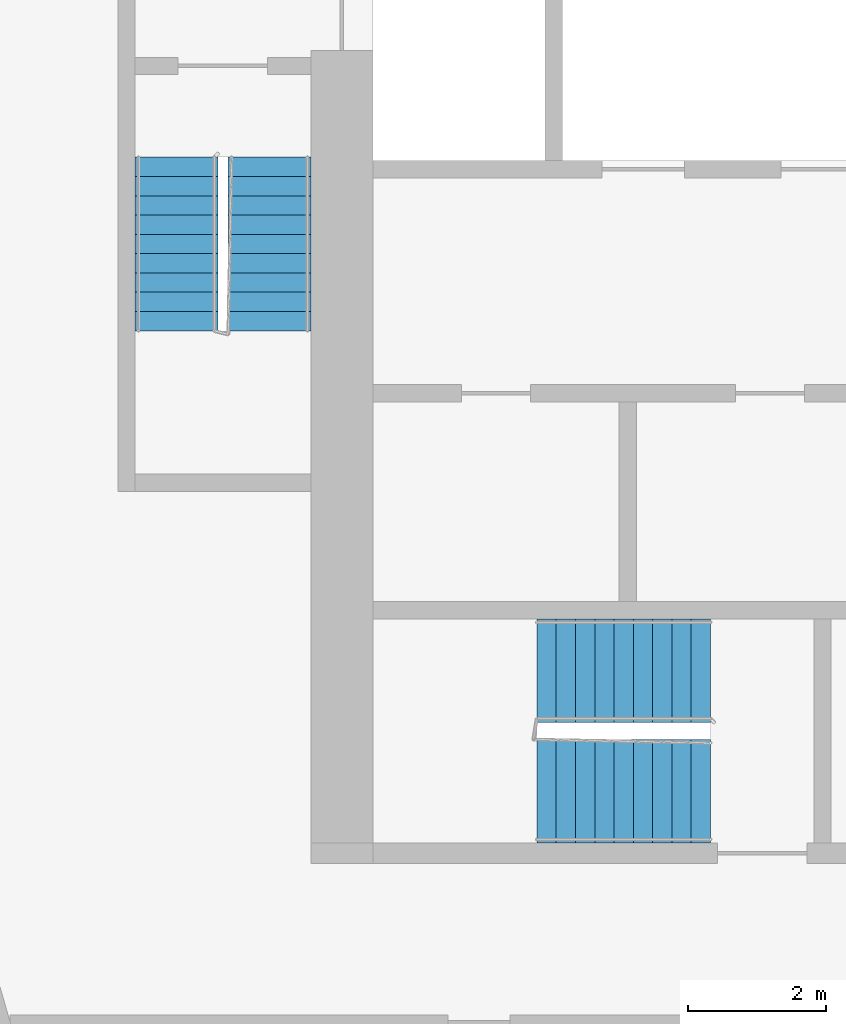
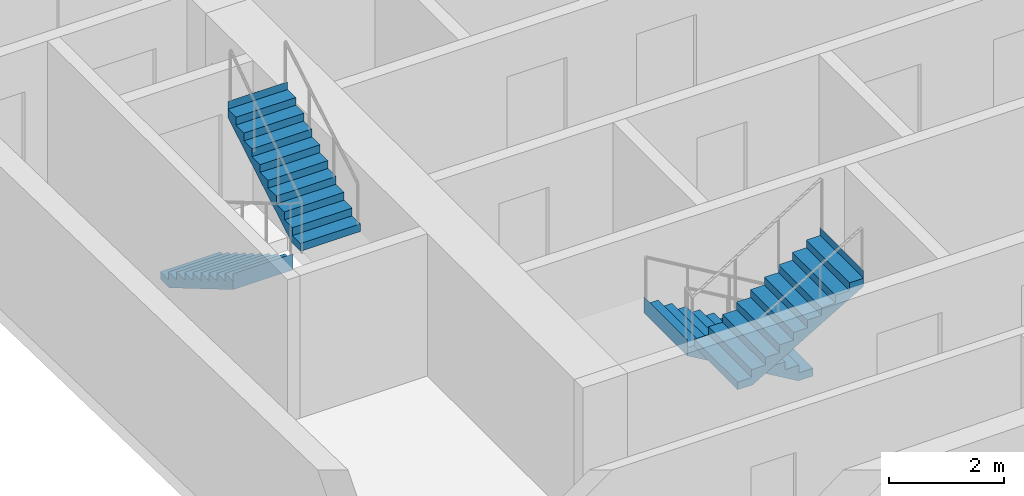
# One storey, part 9 of 12: 4 stair flights, 2 elements without a shape of their own.
"""IFC4 building model written with IfcOpenShell, lengths in metres."""

from ifc_helpers import new_model, si_unit, direction, frame, origin, place, context, subcontext, project, spatial, faceted_brep, material, type_object, element, aggregate, save


model = new_model("IFC4")

# Units and contexts
model_context = context("Model", 3, precision=1e-05, world=origin(), true_north=direction((0.0, 1.0)))
body_context = subcontext(model_context, "Body", "Model", "MODEL_VIEW")
ifc_project = project(units=[si_unit("LENGTHUNIT", "METRE"), si_unit("AREAUNIT", "SQUARE_METRE"), si_unit("VOLUMEUNIT", "CUBIC_METRE"), si_unit("PLANEANGLEUNIT", "RADIAN"), si_unit("MASSUNIT", "GRAM", prefix="KILO")], contexts=[model_context])

# Site, building, storey
site_placement = place(None, origin())
site = spatial("IfcSite", under=ifc_project, at=site_placement, CompositionType="ELEMENT")
building_placement = place(site_placement, origin())
building = spatial("IfcBuilding", under=site, at=building_placement, Name="Kajstack Hotel Tower", CompositionType="ELEMENT")
storey_placement = place(building_placement, frame((0.0, 0.0, 234.199951171875)))
storey = spatial("IfcBuildingStorey", under=building, at=storey_placement, Name="L57", CompositionType="ELEMENT", Elevation=234.199951171875)

# Stair, stair flights
ifc_material = material(Name="Concrete C40/50", Category="concrete")
stair_type_1 = type_object("IfcStairType", Name="Exit stair 1200", PredefinedType="HALF_TURN_STAIR", material=ifc_material)
stair_1_placement = place(storey_placement, origin())
stair_1 = element("IfcStair", 1, at=stair_1_placement, inside=storey, type_object=stair_type_1, Name="L57 stair W1", PredefinedType="HALF_TURN_STAIR")
stair_flight_type_1 = type_object("IfcStairFlightType", Name="Exit stair flight 1200", PredefinedType="STRAIGHT", material=ifc_material)
stair_flight_1_placement = place(storey_placement, frame((-33.449951171875, -5.25, 0.0), z_axis=(0.0, 0.0, 1.0), x_axis=(0.0, -1.0, 0.0)))
stair_flight_1 = element("IfcStairFlight", 2, at=stair_flight_1_placement, type_object=stair_flight_type_1, Name="W1 flight 1", NumberOfRisers=10, NumberOfTreads=9, PredefinedType="STRAIGHT", RiserHeight=0.165, TreadLength=0.28, context=body_context, shape_type="Brep", body=[
    faceted_brep([(0.295654296875, -0.60009765625, 0.0), (2.5205078125, -0.60009765625, 1.31103515625), (2.5205078125, -0.60009765625, 1.64990234375), (2.52001953125, -0.60009765625, 1.64990234375), (2.52001953125, -0.60009765625, 1.485107421875), (2.239990234375, -0.60009765625, 1.485107421875), (2.239990234375, -0.60009765625, 1.320068359375), (1.9599609375, -0.60009765625, 1.320068359375), (1.9599609375, -0.60009765625, 1.155029296875), (1.679931640625, -0.60009765625, 1.155029296875), (1.679931640625, -0.60009765625, 0.989990234375), (1.39990234375, -0.60009765625, 0.989990234375), (1.39990234375, -0.60009765625, 0.824951171875), (1.1201171875, -0.60009765625, 0.824951171875), (1.1201171875, -0.60009765625, 0.659912109375), (0.840087890625, -0.60009765625, 0.659912109375), (0.840087890625, -0.60009765625, 0.4951171875), (0.56005859375, -0.60009765625, 0.4951171875), (0.56005859375, -0.60009765625, 0.330078125), (0.280029296875, -0.60009765625, 0.330078125), (0.280029296875, -0.60009765625, 0.1650390625), (-0.00048828125, -0.60009765625, 0.1650390625), (-0.00048828125, -0.60009765625, 0.0), (-0.00048828125, 0.60009765625, 0.0), (-0.00048828125, 0.60009765625, 0.1650390625), (0.280029296875, 0.60009765625, 0.1650390625), (0.280029296875, 0.60009765625, 0.330078125), (0.56005859375, 0.60009765625, 0.330078125), (0.56005859375, 0.60009765625, 0.4951171875), (0.840087890625, 0.60009765625, 0.4951171875), (0.840087890625, 0.60009765625, 0.659912109375), (1.1201171875, 0.60009765625, 0.659912109375), (1.1201171875, 0.60009765625, 0.824951171875), (1.39990234375, 0.60009765625, 0.824951171875), (1.39990234375, 0.60009765625, 0.989990234375), (1.679931640625, 0.60009765625, 0.989990234375), (1.679931640625, 0.60009765625, 1.155029296875), (1.9599609375, 0.60009765625, 1.155029296875), (1.9599609375, 0.60009765625, 1.320068359375), (2.239990234375, 0.60009765625, 1.320068359375), (2.239990234375, 0.60009765625, 1.485107421875), (2.52001953125, 0.60009765625, 1.485107421875), (2.52001953125, 0.60009765625, 1.64990234375), (2.5205078125, 0.60009765625, 1.64990234375), (2.5205078125, 0.60009765625, 1.31103515625), (0.295654296875, 0.60009765625, 0.0), (-0.00048828125, -0.300048828125, 0.1650390625), (-0.00048828125, 0.0, 0.1650390625), (-0.00048828125, 0.300048828125, 0.1650390625), (-0.00048828125, 0.300048828125, 0.0), (-0.00048828125, 0.0, 0.0), (-0.00048828125, -0.300048828125, 0.0), (0.280029296875, -0.300048828125, 0.1650390625), (0.280029296875, 0.0, 0.1650390625), (0.280029296875, 0.300048828125, 0.1650390625), (0.280029296875, -0.300048828125, 0.330078125), (0.280029296875, 0.0, 0.330078125), (0.280029296875, 0.300048828125, 0.330078125), (0.56005859375, -0.300048828125, 0.330078125), (0.56005859375, 0.0, 0.330078125), (0.56005859375, 0.300048828125, 0.330078125), (0.56005859375, -0.300048828125, 0.4951171875), (0.56005859375, 0.0, 0.4951171875), (0.56005859375, 0.300048828125, 0.4951171875), (0.840087890625, -0.300048828125, 0.4951171875), (0.840087890625, 0.0, 0.4951171875), (0.840087890625, 0.300048828125, 0.4951171875), (0.840087890625, -0.300048828125, 0.659912109375), (0.840087890625, 0.0, 0.659912109375), (0.840087890625, 0.300048828125, 0.659912109375), (1.1201171875, -0.300048828125, 0.659912109375), (1.1201171875, 0.0, 0.659912109375), (1.1201171875, 0.300048828125, 0.659912109375), (1.1201171875, -0.300048828125, 0.824951171875), (1.1201171875, 0.0, 0.824951171875), (1.1201171875, 0.300048828125, 0.824951171875), (1.39990234375, -0.300048828125, 0.824951171875), (1.39990234375, 0.0, 0.824951171875), (1.39990234375, 0.300048828125, 0.824951171875), (1.39990234375, -0.300048828125, 0.989990234375), (1.39990234375, 0.0, 0.989990234375), (1.39990234375, 0.300048828125, 0.989990234375), (1.679931640625, -0.300048828125, 0.989990234375), (1.679931640625, 0.0, 0.989990234375), (1.679931640625, 0.300048828125, 0.989990234375), (1.679931640625, -0.300048828125, 1.155029296875), (1.679931640625, 0.0, 1.155029296875), (1.679931640625, 0.300048828125, 1.155029296875), (1.9599609375, -0.300048828125, 1.155029296875), (1.9599609375, 0.0, 1.155029296875), (1.9599609375, 0.300048828125, 1.155029296875), (1.9599609375, -0.300048828125, 1.320068359375), (1.9599609375, 0.0, 1.320068359375), (1.9599609375, 0.300048828125, 1.320068359375), (2.239990234375, -0.300048828125, 1.320068359375), (2.239990234375, 0.0, 1.320068359375), (2.239990234375, 0.300048828125, 1.320068359375), (2.239990234375, -0.300048828125, 1.485107421875), (2.239990234375, 0.0, 1.485107421875), (2.239990234375, 0.300048828125, 1.485107421875), (2.52001953125, -0.300048828125, 1.485107421875), (2.52001953125, 0.0, 1.485107421875), (2.52001953125, 0.300048828125, 1.485107421875), (2.52001953125, -0.300048828125, 1.64990234375), (2.52001953125, 0.0, 1.64990234375), (2.52001953125, 0.300048828125, 1.64990234375), (2.5205078125, -0.300048828125, 1.64990234375), (2.5205078125, 0.0, 1.64990234375), (2.5205078125, 0.300048828125, 1.64990234375), (2.5205078125, -0.300048828125, 1.31103515625), (2.5205078125, 0.0, 1.31103515625), (2.5205078125, 0.300048828125, 1.31103515625), (0.295654296875, -0.300048828125, 0.0), (0.295654296875, 0.0, 0.0), (0.295654296875, 0.300048828125, 0.0)], [[[0, 1, 2, 3, 4, 5, 6, 7, 8, 9, 10, 11, 12, 13, 14, 15, 16, 17, 18, 19, 20, 21, 22]], [[23, 24, 25, 26, 27, 28, 29, 30, 31, 32, 33, 34, 35, 36, 37, 38, 39, 40, 41, 42, 43, 44, 45]], [[21, 46, 47, 48, 24, 23, 49, 50, 51, 22]], [[20, 52, 53, 54, 25, 24, 48, 47, 46, 21]], [[19, 55, 56, 57, 26, 25, 54, 53, 52, 20]], [[18, 58, 59, 60, 27, 26, 57, 56, 55, 19]], [[17, 61, 62, 63, 28, 27, 60, 59, 58, 18]], [[16, 64, 65, 66, 29, 28, 63, 62, 61, 17]], [[15, 67, 68, 69, 30, 29, 66, 65, 64, 16]], [[14, 70, 71, 72, 31, 30, 69, 68, 67, 15]], [[13, 73, 74, 75, 32, 31, 72, 71, 70, 14]], [[12, 76, 77, 78, 33, 32, 75, 74, 73, 13]], [[11, 79, 80, 81, 34, 33, 78, 77, 76, 12]], [[10, 82, 83, 84, 35, 34, 81, 80, 79, 11]], [[9, 85, 86, 87, 36, 35, 84, 83, 82, 10]], [[8, 88, 89, 90, 37, 36, 87, 86, 85, 9]], [[7, 91, 92, 93, 38, 37, 90, 89, 88, 8]], [[6, 94, 95, 96, 39, 38, 93, 92, 91, 7]], [[5, 97, 98, 99, 40, 39, 96, 95, 94, 6]], [[4, 100, 101, 102, 41, 40, 99, 98, 97, 5]], [[3, 103, 104, 105, 42, 41, 102, 101, 100, 4]], [[2, 106, 107, 108, 43, 42, 105, 104, 103, 3]], [[1, 109, 110, 111, 44, 43, 108, 107, 106, 2]], [[0, 112, 113, 114, 45, 44, 111, 110, 109, 1]], [[22, 51, 50, 49, 23, 45, 114, 113, 112, 0]]]),
])
stair_flight_2_placement = place(storey_placement, frame((-32.10009765625, -7.77001953125, 1.650146484375), z_axis=(0.0, 0.0, 1.0), x_axis=(0.0, 1.0, 0.0)))
stair_flight_2 = element("IfcStairFlight", 3, at=stair_flight_2_placement, type_object=stair_flight_type_1, Name="W1 flight 2", NumberOfRisers=10, NumberOfTreads=9, PredefinedType="STRAIGHT", RiserHeight=0.165, TreadLength=0.28, context=body_context, shape_type="Brep", body=[
    faceted_brep([(0.295654296875, -0.60009765625, 0.0), (2.5205078125, -0.60009765625, 1.31103515625), (2.5205078125, -0.60009765625, 1.64990234375), (2.52001953125, -0.60009765625, 1.64990234375), (2.52001953125, -0.60009765625, 1.485107421875), (2.239990234375, -0.60009765625, 1.485107421875), (2.239990234375, -0.60009765625, 1.320068359375), (1.9599609375, -0.60009765625, 1.320068359375), (1.9599609375, -0.60009765625, 1.155029296875), (1.679931640625, -0.60009765625, 1.155029296875), (1.679931640625, -0.60009765625, 0.989990234375), (1.39990234375, -0.60009765625, 0.989990234375), (1.39990234375, -0.60009765625, 0.824951171875), (1.1201171875, -0.60009765625, 0.824951171875), (1.1201171875, -0.60009765625, 0.659912109375), (0.840087890625, -0.60009765625, 0.659912109375), (0.840087890625, -0.60009765625, 0.4951171875), (0.56005859375, -0.60009765625, 0.4951171875), (0.56005859375, -0.60009765625, 0.330078125), (0.280029296875, -0.60009765625, 0.330078125), (0.280029296875, -0.60009765625, 0.1650390625), (-0.00048828125, -0.60009765625, 0.1650390625), (-0.00048828125, -0.60009765625, 0.0), (-0.00048828125, 0.60009765625, 0.0), (-0.00048828125, 0.60009765625, 0.1650390625), (0.280029296875, 0.60009765625, 0.1650390625), (0.280029296875, 0.60009765625, 0.330078125), (0.56005859375, 0.60009765625, 0.330078125), (0.56005859375, 0.60009765625, 0.4951171875), (0.840087890625, 0.60009765625, 0.4951171875), (0.840087890625, 0.60009765625, 0.659912109375), (1.1201171875, 0.60009765625, 0.659912109375), (1.1201171875, 0.60009765625, 0.824951171875), (1.39990234375, 0.60009765625, 0.824951171875), (1.39990234375, 0.60009765625, 0.989990234375), (1.679931640625, 0.60009765625, 0.989990234375), (1.679931640625, 0.60009765625, 1.155029296875), (1.9599609375, 0.60009765625, 1.155029296875), (1.9599609375, 0.60009765625, 1.320068359375), (2.239990234375, 0.60009765625, 1.320068359375), (2.239990234375, 0.60009765625, 1.485107421875), (2.52001953125, 0.60009765625, 1.485107421875), (2.52001953125, 0.60009765625, 1.64990234375), (2.5205078125, 0.60009765625, 1.64990234375), (2.5205078125, 0.60009765625, 1.31103515625), (0.295654296875, 0.60009765625, 0.0), (-0.00048828125, -0.300048828125, 0.1650390625), (-0.00048828125, 0.0, 0.1650390625), (-0.00048828125, 0.300048828125, 0.1650390625), (-0.00048828125, 0.300048828125, 0.0), (-0.00048828125, 0.0, 0.0), (-0.00048828125, -0.300048828125, 0.0), (0.280029296875, -0.300048828125, 0.1650390625), (0.280029296875, 0.0, 0.1650390625), (0.280029296875, 0.300048828125, 0.1650390625), (0.280029296875, -0.300048828125, 0.330078125), (0.280029296875, 0.0, 0.330078125), (0.280029296875, 0.300048828125, 0.330078125), (0.56005859375, -0.300048828125, 0.330078125), (0.56005859375, 0.0, 0.330078125), (0.56005859375, 0.300048828125, 0.330078125), (0.56005859375, -0.300048828125, 0.4951171875), (0.56005859375, 0.0, 0.4951171875), (0.56005859375, 0.300048828125, 0.4951171875), (0.840087890625, -0.300048828125, 0.4951171875), (0.840087890625, 0.0, 0.4951171875), (0.840087890625, 0.300048828125, 0.4951171875), (0.840087890625, -0.300048828125, 0.659912109375), (0.840087890625, 0.0, 0.659912109375), (0.840087890625, 0.300048828125, 0.659912109375), (1.1201171875, -0.300048828125, 0.659912109375), (1.1201171875, 0.0, 0.659912109375), (1.1201171875, 0.300048828125, 0.659912109375), (1.1201171875, -0.300048828125, 0.824951171875), (1.1201171875, 0.0, 0.824951171875), (1.1201171875, 0.300048828125, 0.824951171875), (1.39990234375, -0.300048828125, 0.824951171875), (1.39990234375, 0.0, 0.824951171875), (1.39990234375, 0.300048828125, 0.824951171875), (1.39990234375, -0.300048828125, 0.989990234375), (1.39990234375, 0.0, 0.989990234375), (1.39990234375, 0.300048828125, 0.989990234375), (1.679931640625, -0.300048828125, 0.989990234375), (1.679931640625, 0.0, 0.989990234375), (1.679931640625, 0.300048828125, 0.989990234375), (1.679931640625, -0.300048828125, 1.155029296875), (1.679931640625, 0.0, 1.155029296875), (1.679931640625, 0.300048828125, 1.155029296875), (1.9599609375, -0.300048828125, 1.155029296875), (1.9599609375, 0.0, 1.155029296875), (1.9599609375, 0.300048828125, 1.155029296875), (1.9599609375, -0.300048828125, 1.320068359375), (1.9599609375, 0.0, 1.320068359375), (1.9599609375, 0.300048828125, 1.320068359375), (2.239990234375, -0.300048828125, 1.320068359375), (2.239990234375, 0.0, 1.320068359375), (2.239990234375, 0.300048828125, 1.320068359375), (2.239990234375, -0.300048828125, 1.485107421875), (2.239990234375, 0.0, 1.485107421875), (2.239990234375, 0.300048828125, 1.485107421875), (2.52001953125, -0.300048828125, 1.485107421875), (2.52001953125, 0.0, 1.485107421875), (2.52001953125, 0.300048828125, 1.485107421875), (2.52001953125, -0.300048828125, 1.64990234375), (2.52001953125, 0.0, 1.64990234375), (2.52001953125, 0.300048828125, 1.64990234375), (2.5205078125, -0.300048828125, 1.64990234375), (2.5205078125, 0.0, 1.64990234375), (2.5205078125, 0.300048828125, 1.64990234375), (2.5205078125, -0.300048828125, 1.31103515625), (2.5205078125, 0.0, 1.31103515625), (2.5205078125, 0.300048828125, 1.31103515625), (0.295654296875, -0.300048828125, 0.0), (0.295654296875, 0.0, 0.0), (0.295654296875, 0.300048828125, 0.0)], [[[0, 1, 2, 3, 4, 5, 6, 7, 8, 9, 10, 11, 12, 13, 14, 15, 16, 17, 18, 19, 20, 21, 22]], [[23, 24, 25, 26, 27, 28, 29, 30, 31, 32, 33, 34, 35, 36, 37, 38, 39, 40, 41, 42, 43, 44, 45]], [[21, 46, 47, 48, 24, 23, 49, 50, 51, 22]], [[20, 52, 53, 54, 25, 24, 48, 47, 46, 21]], [[19, 55, 56, 57, 26, 25, 54, 53, 52, 20]], [[18, 58, 59, 60, 27, 26, 57, 56, 55, 19]], [[17, 61, 62, 63, 28, 27, 60, 59, 58, 18]], [[16, 64, 65, 66, 29, 28, 63, 62, 61, 17]], [[15, 67, 68, 69, 30, 29, 66, 65, 64, 16]], [[14, 70, 71, 72, 31, 30, 69, 68, 67, 15]], [[13, 73, 74, 75, 32, 31, 72, 71, 70, 14]], [[12, 76, 77, 78, 33, 32, 75, 74, 73, 13]], [[11, 79, 80, 81, 34, 33, 78, 77, 76, 12]], [[10, 82, 83, 84, 35, 34, 81, 80, 79, 11]], [[9, 85, 86, 87, 36, 35, 84, 83, 82, 10]], [[8, 88, 89, 90, 37, 36, 87, 86, 85, 9]], [[7, 91, 92, 93, 38, 37, 90, 89, 88, 8]], [[6, 94, 95, 96, 39, 38, 93, 92, 91, 7]], [[5, 97, 98, 99, 40, 39, 96, 95, 94, 6]], [[4, 100, 101, 102, 41, 40, 99, 98, 97, 5]], [[3, 103, 104, 105, 42, 41, 102, 101, 100, 4]], [[2, 106, 107, 108, 43, 42, 105, 104, 103, 3]], [[1, 109, 110, 111, 44, 43, 108, 107, 106, 2]], [[0, 112, 113, 114, 45, 44, 111, 110, 109, 1]], [[22, 51, 50, 49, 23, 45, 114, 113, 112, 0]]]),
])
aggregate(stair_1, [stair_flight_1, stair_flight_2])

stair_type_2 = type_object("IfcStairType", Name="Exit stair 1500", PredefinedType="HALF_TURN_STAIR", material=ifc_material)
stair_2_placement = place(storey_placement, origin())
stair_2 = element("IfcStair", 4, at=stair_2_placement, inside=storey, type_object=stair_type_2, Name="L57 stair W3", PredefinedType="HALF_TURN_STAIR")
stair_flight_type_2 = type_object("IfcStairFlightType", Name="Exit stair flight 1500", PredefinedType="STRAIGHT", material=ifc_material)
stair_flight_3_placement = place(storey_placement, frame((-25.699951171875, -12.699951171875, 0.0), z_axis=(0.0, 0.0, 1.0), x_axis=(-1.0, 0.0, 0.0)))
stair_flight_3 = element("IfcStairFlight", 5, at=stair_flight_3_placement, type_object=stair_flight_type_2, Name="W3 flight 1", NumberOfRisers=10, NumberOfTreads=9, PredefinedType="STRAIGHT", RiserHeight=0.165, TreadLength=0.28, context=body_context, shape_type="Brep", body=[
    faceted_brep([(0.295654296875, -0.75, 0.0), (2.5205078125, -0.75, 1.31103515625), (2.5205078125, -0.75, 1.64990234375), (2.52001953125, -0.75, 1.64990234375), (2.52001953125, -0.75, 1.485107421875), (2.239990234375, -0.75, 1.485107421875), (2.239990234375, -0.75, 1.320068359375), (1.9599609375, -0.75, 1.320068359375), (1.9599609375, -0.75, 1.155029296875), (1.679931640625, -0.75, 1.155029296875), (1.679931640625, -0.75, 0.989990234375), (1.39990234375, -0.75, 0.989990234375), (1.39990234375, -0.75, 0.824951171875), (1.1201171875, -0.75, 0.824951171875), (1.1201171875, -0.75, 0.659912109375), (0.840087890625, -0.75, 0.659912109375), (0.840087890625, -0.75, 0.4951171875), (0.56005859375, -0.75, 0.4951171875), (0.56005859375, -0.75, 0.330078125), (0.280029296875, -0.75, 0.330078125), (0.280029296875, -0.75, 0.1650390625), (-0.00048828125, -0.75, 0.1650390625), (-0.00048828125, -0.75, 0.0), (-0.00048828125, 0.75, 0.0), (-0.00048828125, 0.75, 0.1650390625), (0.280029296875, 0.75, 0.1650390625), (0.280029296875, 0.75, 0.330078125), (0.56005859375, 0.75, 0.330078125), (0.56005859375, 0.75, 0.4951171875), (0.840087890625, 0.75, 0.4951171875), (0.840087890625, 0.75, 0.659912109375), (1.1201171875, 0.75, 0.659912109375), (1.1201171875, 0.75, 0.824951171875), (1.39990234375, 0.75, 0.824951171875), (1.39990234375, 0.75, 0.989990234375), (1.679931640625, 0.75, 0.989990234375), (1.679931640625, 0.75, 1.155029296875), (1.9599609375, 0.75, 1.155029296875), (1.9599609375, 0.75, 1.320068359375), (2.239990234375, 0.75, 1.320068359375), (2.239990234375, 0.75, 1.485107421875), (2.52001953125, 0.75, 1.485107421875), (2.52001953125, 0.75, 1.64990234375), (2.5205078125, 0.75, 1.64990234375), (2.5205078125, 0.75, 1.31103515625), (0.295654296875, 0.75, 0.0), (-0.00048828125, -0.375, 0.1650390625), (-0.00048828125, 0.0, 0.1650390625), (-0.00048828125, 0.375, 0.1650390625), (-0.00048828125, 0.375, 0.0), (-0.00048828125, 0.0, 0.0), (-0.00048828125, -0.375, 0.0), (0.280029296875, -0.375, 0.1650390625), (0.280029296875, 0.0, 0.1650390625), (0.280029296875, 0.375, 0.1650390625), (0.280029296875, -0.375, 0.330078125), (0.280029296875, 0.0, 0.330078125), (0.280029296875, 0.375, 0.330078125), (0.56005859375, -0.375, 0.330078125), (0.56005859375, 0.0, 0.330078125), (0.56005859375, 0.375, 0.330078125), (0.56005859375, -0.375, 0.4951171875), (0.56005859375, 0.0, 0.4951171875), (0.56005859375, 0.375, 0.4951171875), (0.840087890625, -0.375, 0.4951171875), (0.840087890625, 0.0, 0.4951171875), (0.840087890625, 0.375, 0.4951171875), (0.840087890625, -0.375, 0.659912109375), (0.840087890625, 0.0, 0.659912109375), (0.840087890625, 0.375, 0.659912109375), (1.1201171875, -0.375, 0.659912109375), (1.1201171875, 0.0, 0.659912109375), (1.1201171875, 0.375, 0.659912109375), (1.1201171875, -0.375, 0.824951171875), (1.1201171875, 0.0, 0.824951171875), (1.1201171875, 0.375, 0.824951171875), (1.39990234375, -0.375, 0.824951171875), (1.39990234375, 0.0, 0.824951171875), (1.39990234375, 0.375, 0.824951171875), (1.39990234375, -0.375, 0.989990234375), (1.39990234375, 0.0, 0.989990234375), (1.39990234375, 0.375, 0.989990234375), (1.679931640625, -0.375, 0.989990234375), (1.679931640625, 0.0, 0.989990234375), (1.679931640625, 0.375, 0.989990234375), (1.679931640625, -0.375, 1.155029296875), (1.679931640625, 0.0, 1.155029296875), (1.679931640625, 0.375, 1.155029296875), (1.9599609375, -0.375, 1.155029296875), (1.9599609375, 0.0, 1.155029296875), (1.9599609375, 0.375, 1.155029296875), (1.9599609375, -0.375, 1.320068359375), (1.9599609375, 0.0, 1.320068359375), (1.9599609375, 0.375, 1.320068359375), (2.239990234375, -0.375, 1.320068359375), (2.239990234375, 0.0, 1.320068359375), (2.239990234375, 0.375, 1.320068359375), (2.239990234375, -0.375, 1.485107421875), (2.239990234375, 0.0, 1.485107421875), (2.239990234375, 0.375, 1.485107421875), (2.52001953125, -0.375, 1.485107421875), (2.52001953125, 0.0, 1.485107421875), (2.52001953125, 0.375, 1.485107421875), (2.52001953125, -0.375, 1.64990234375), (2.52001953125, 0.0, 1.64990234375), (2.52001953125, 0.375, 1.64990234375), (2.5205078125, -0.375, 1.64990234375), (2.5205078125, 0.0, 1.64990234375), (2.5205078125, 0.375, 1.64990234375), (2.5205078125, -0.375, 1.31103515625), (2.5205078125, 0.0, 1.31103515625), (2.5205078125, 0.375, 1.31103515625), (0.295654296875, -0.375, 0.0), (0.295654296875, 0.0, 0.0), (0.295654296875, 0.375, 0.0)], [[[0, 1, 2, 3, 4, 5, 6, 7, 8, 9, 10, 11, 12, 13, 14, 15, 16, 17, 18, 19, 20, 21, 22]], [[23, 24, 25, 26, 27, 28, 29, 30, 31, 32, 33, 34, 35, 36, 37, 38, 39, 40, 41, 42, 43, 44, 45]], [[21, 46, 47, 48, 24, 23, 49, 50, 51, 22]], [[20, 52, 53, 54, 25, 24, 48, 47, 46, 21]], [[19, 55, 56, 57, 26, 25, 54, 53, 52, 20]], [[18, 58, 59, 60, 27, 26, 57, 56, 55, 19]], [[17, 61, 62, 63, 28, 27, 60, 59, 58, 18]], [[16, 64, 65, 66, 29, 28, 63, 62, 61, 17]], [[15, 67, 68, 69, 30, 29, 66, 65, 64, 16]], [[14, 70, 71, 72, 31, 30, 69, 68, 67, 15]], [[13, 73, 74, 75, 32, 31, 72, 71, 70, 14]], [[12, 76, 77, 78, 33, 32, 75, 74, 73, 13]], [[11, 79, 80, 81, 34, 33, 78, 77, 76, 12]], [[10, 82, 83, 84, 35, 34, 81, 80, 79, 11]], [[9, 85, 86, 87, 36, 35, 84, 83, 82, 10]], [[8, 88, 89, 90, 37, 36, 87, 86, 85, 9]], [[7, 91, 92, 93, 38, 37, 90, 89, 88, 8]], [[6, 94, 95, 96, 39, 38, 93, 92, 91, 7]], [[5, 97, 98, 99, 40, 39, 96, 95, 94, 6]], [[4, 100, 101, 102, 41, 40, 99, 98, 97, 5]], [[3, 103, 104, 105, 42, 41, 102, 101, 100, 4]], [[2, 106, 107, 108, 43, 42, 105, 104, 103, 3]], [[1, 109, 110, 111, 44, 43, 108, 107, 106, 2]], [[0, 112, 113, 114, 45, 44, 111, 110, 109, 1]], [[22, 51, 50, 49, 23, 45, 114, 113, 112, 0]]]),
])
stair_flight_4_placement = place(storey_placement, frame((-28.219970703125, -14.449951171875, 1.650146484375), z_axis=(0.0, 0.0, 1.0), x_axis=(1.0, 0.0, 0.0)))
stair_flight_4 = element("IfcStairFlight", 6, at=stair_flight_4_placement, type_object=stair_flight_type_2, Name="W3 flight 2", NumberOfRisers=10, NumberOfTreads=9, PredefinedType="STRAIGHT", RiserHeight=0.165, TreadLength=0.28, context=body_context, shape_type="Brep", body=[
    faceted_brep([(0.295654296875, -0.75, 0.0), (2.5205078125, -0.75, 1.31103515625), (2.5205078125, -0.75, 1.64990234375), (2.52001953125, -0.75, 1.64990234375), (2.52001953125, -0.75, 1.485107421875), (2.239990234375, -0.75, 1.485107421875), (2.239990234375, -0.75, 1.320068359375), (1.9599609375, -0.75, 1.320068359375), (1.9599609375, -0.75, 1.155029296875), (1.679931640625, -0.75, 1.155029296875), (1.679931640625, -0.75, 0.989990234375), (1.39990234375, -0.75, 0.989990234375), (1.39990234375, -0.75, 0.824951171875), (1.1201171875, -0.75, 0.824951171875), (1.1201171875, -0.75, 0.659912109375), (0.840087890625, -0.75, 0.659912109375), (0.840087890625, -0.75, 0.4951171875), (0.56005859375, -0.75, 0.4951171875), (0.56005859375, -0.75, 0.330078125), (0.280029296875, -0.75, 0.330078125), (0.280029296875, -0.75, 0.1650390625), (-0.00048828125, -0.75, 0.1650390625), (-0.00048828125, -0.75, 0.0), (-0.00048828125, 0.75, 0.0), (-0.00048828125, 0.75, 0.1650390625), (0.280029296875, 0.75, 0.1650390625), (0.280029296875, 0.75, 0.330078125), (0.56005859375, 0.75, 0.330078125), (0.56005859375, 0.75, 0.4951171875), (0.840087890625, 0.75, 0.4951171875), (0.840087890625, 0.75, 0.659912109375), (1.1201171875, 0.75, 0.659912109375), (1.1201171875, 0.75, 0.824951171875), (1.39990234375, 0.75, 0.824951171875), (1.39990234375, 0.75, 0.989990234375), (1.679931640625, 0.75, 0.989990234375), (1.679931640625, 0.75, 1.155029296875), (1.9599609375, 0.75, 1.155029296875), (1.9599609375, 0.75, 1.320068359375), (2.239990234375, 0.75, 1.320068359375), (2.239990234375, 0.75, 1.485107421875), (2.52001953125, 0.75, 1.485107421875), (2.52001953125, 0.75, 1.64990234375), (2.5205078125, 0.75, 1.64990234375), (2.5205078125, 0.75, 1.31103515625), (0.295654296875, 0.75, 0.0), (-0.00048828125, -0.375, 0.1650390625), (-0.00048828125, 0.0, 0.1650390625), (-0.00048828125, 0.375, 0.1650390625), (-0.00048828125, 0.375, 0.0), (-0.00048828125, 0.0, 0.0), (-0.00048828125, -0.375, 0.0), (0.280029296875, -0.375, 0.1650390625), (0.280029296875, 0.0, 0.1650390625), (0.280029296875, 0.375, 0.1650390625), (0.280029296875, -0.375, 0.330078125), (0.280029296875, 0.0, 0.330078125), (0.280029296875, 0.375, 0.330078125), (0.56005859375, -0.375, 0.330078125), (0.56005859375, 0.0, 0.330078125), (0.56005859375, 0.375, 0.330078125), (0.56005859375, -0.375, 0.4951171875), (0.56005859375, 0.0, 0.4951171875), (0.56005859375, 0.375, 0.4951171875), (0.840087890625, -0.375, 0.4951171875), (0.840087890625, 0.0, 0.4951171875), (0.840087890625, 0.375, 0.4951171875), (0.840087890625, -0.375, 0.659912109375), (0.840087890625, 0.0, 0.659912109375), (0.840087890625, 0.375, 0.659912109375), (1.1201171875, -0.375, 0.659912109375), (1.1201171875, 0.0, 0.659912109375), (1.1201171875, 0.375, 0.659912109375), (1.1201171875, -0.375, 0.824951171875), (1.1201171875, 0.0, 0.824951171875), (1.1201171875, 0.375, 0.824951171875), (1.39990234375, -0.375, 0.824951171875), (1.39990234375, 0.0, 0.824951171875), (1.39990234375, 0.375, 0.824951171875), (1.39990234375, -0.375, 0.989990234375), (1.39990234375, 0.0, 0.989990234375), (1.39990234375, 0.375, 0.989990234375), (1.679931640625, -0.375, 0.989990234375), (1.679931640625, 0.0, 0.989990234375), (1.679931640625, 0.375, 0.989990234375), (1.679931640625, -0.375, 1.155029296875), (1.679931640625, 0.0, 1.155029296875), (1.679931640625, 0.375, 1.155029296875), (1.9599609375, -0.375, 1.155029296875), (1.9599609375, 0.0, 1.155029296875), (1.9599609375, 0.375, 1.155029296875), (1.9599609375, -0.375, 1.320068359375), (1.9599609375, 0.0, 1.320068359375), (1.9599609375, 0.375, 1.320068359375), (2.239990234375, -0.375, 1.320068359375), (2.239990234375, 0.0, 1.320068359375), (2.239990234375, 0.375, 1.320068359375), (2.239990234375, -0.375, 1.485107421875), (2.239990234375, 0.0, 1.485107421875), (2.239990234375, 0.375, 1.485107421875), (2.52001953125, -0.375, 1.485107421875), (2.52001953125, 0.0, 1.485107421875), (2.52001953125, 0.375, 1.485107421875), (2.52001953125, -0.375, 1.64990234375), (2.52001953125, 0.0, 1.64990234375), (2.52001953125, 0.375, 1.64990234375), (2.5205078125, -0.375, 1.64990234375), (2.5205078125, 0.0, 1.64990234375), (2.5205078125, 0.375, 1.64990234375), (2.5205078125, -0.375, 1.31103515625), (2.5205078125, 0.0, 1.31103515625), (2.5205078125, 0.375, 1.31103515625), (0.295654296875, -0.375, 0.0), (0.295654296875, 0.0, 0.0), (0.295654296875, 0.375, 0.0)], [[[0, 1, 2, 3, 4, 5, 6, 7, 8, 9, 10, 11, 12, 13, 14, 15, 16, 17, 18, 19, 20, 21, 22]], [[23, 24, 25, 26, 27, 28, 29, 30, 31, 32, 33, 34, 35, 36, 37, 38, 39, 40, 41, 42, 43, 44, 45]], [[21, 46, 47, 48, 24, 23, 49, 50, 51, 22]], [[20, 52, 53, 54, 25, 24, 48, 47, 46, 21]], [[19, 55, 56, 57, 26, 25, 54, 53, 52, 20]], [[18, 58, 59, 60, 27, 26, 57, 56, 55, 19]], [[17, 61, 62, 63, 28, 27, 60, 59, 58, 18]], [[16, 64, 65, 66, 29, 28, 63, 62, 61, 17]], [[15, 67, 68, 69, 30, 29, 66, 65, 64, 16]], [[14, 70, 71, 72, 31, 30, 69, 68, 67, 15]], [[13, 73, 74, 75, 32, 31, 72, 71, 70, 14]], [[12, 76, 77, 78, 33, 32, 75, 74, 73, 13]], [[11, 79, 80, 81, 34, 33, 78, 77, 76, 12]], [[10, 82, 83, 84, 35, 34, 81, 80, 79, 11]], [[9, 85, 86, 87, 36, 35, 84, 83, 82, 10]], [[8, 88, 89, 90, 37, 36, 87, 86, 85, 9]], [[7, 91, 92, 93, 38, 37, 90, 89, 88, 8]], [[6, 94, 95, 96, 39, 38, 93, 92, 91, 7]], [[5, 97, 98, 99, 40, 39, 96, 95, 94, 6]], [[4, 100, 101, 102, 41, 40, 99, 98, 97, 5]], [[3, 103, 104, 105, 42, 41, 102, 101, 100, 4]], [[2, 106, 107, 108, 43, 42, 105, 104, 103, 3]], [[1, 109, 110, 111, 44, 43, 108, 107, 106, 2]], [[0, 112, 113, 114, 45, 44, 111, 110, 109, 1]], [[22, 51, 50, 49, 23, 45, 114, 113, 112, 0]]]),
])
aggregate(stair_2, [stair_flight_3, stair_flight_4])

save(model, "model.ifc")
